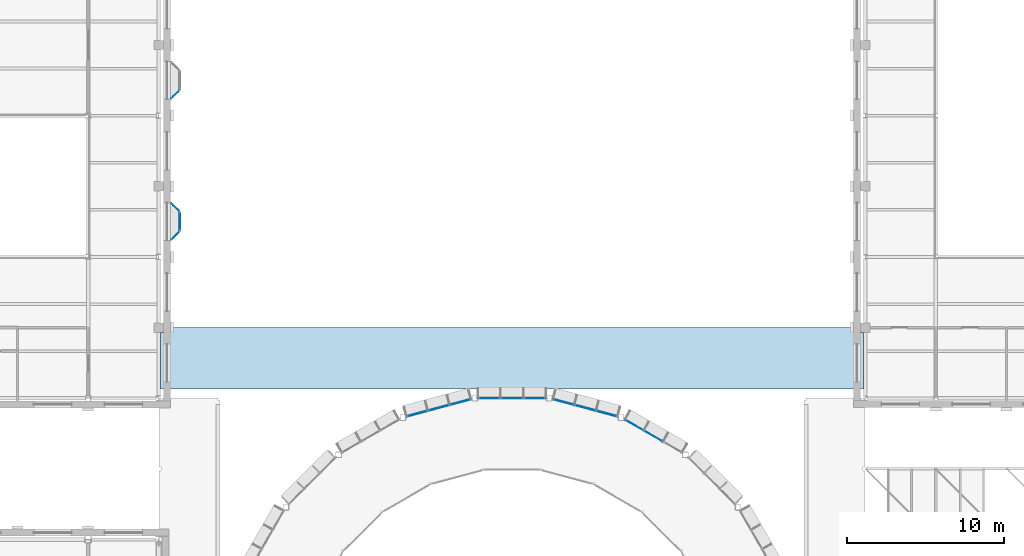
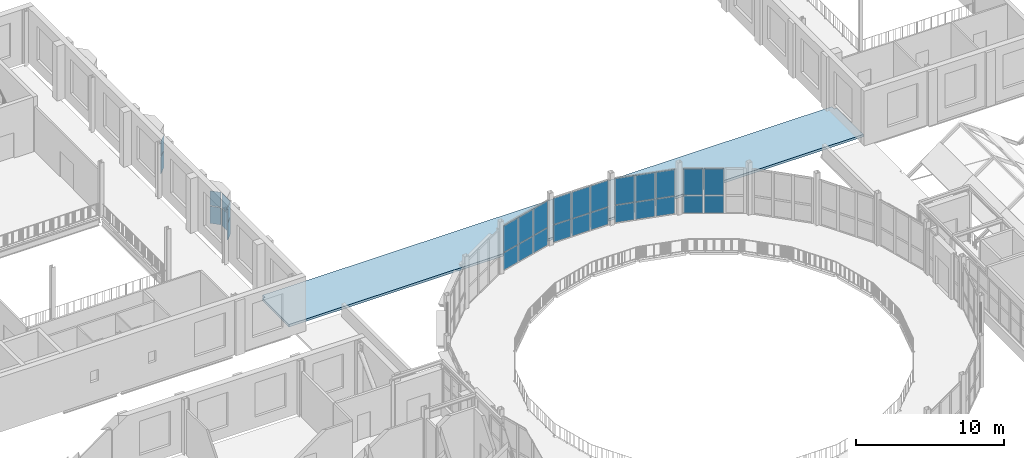
# One storey, part 33 of 74: 30 plates, 1 slab, 8 elements without a shape of their own.
"""IFC4 building model written with IfcOpenShell, lengths in metres."""

from ifc_helpers import new_model, si_unit, direction, frame, origin, origin_2d, place, context, subcontext, project, spatial, polyline, rectangle, outline, extrude, material, layer, layer_set, type_object, element, aggregate, save


model = new_model("IFC4")

# Units and contexts
model_context = context("Model", 3, precision=1e-05, world=origin(), true_north=direction((0.0, 1.0)))
body_context = subcontext(model_context, "Body", "Model", "MODEL_VIEW")
ifc_project = project(units=[si_unit("LENGTHUNIT", "METRE"), si_unit("AREAUNIT", "SQUARE_METRE"), si_unit("VOLUMEUNIT", "CUBIC_METRE"), si_unit("PLANEANGLEUNIT", "RADIAN"), si_unit("MASSUNIT", "GRAM", prefix="KILO")], contexts=[model_context])

# Site, building, storey
site_placement = place(None, origin())
site = spatial("IfcSite", under=ifc_project, at=site_placement, CompositionType="ELEMENT")
building_placement = place(site_placement, origin())
building = spatial("IfcBuilding", under=site, at=building_placement, Name="Hortulan Conservatory and Botanical Research Centre", CompositionType="ELEMENT")
storey_placement = place(building_placement, frame((0.0, 0.0, 6.0)))
storey = spatial("IfcBuildingStorey", under=building, at=storey_placement, Name="L01", CompositionType="ELEMENT", Elevation=6.0)

# Slab
ifc_material_1 = material(Name="Concrete N40 (40 MPa, AS 3600)", Category="concrete")
ifc_layer_1 = layer(ifc_material_1, 0.199951171875)
ifc_layer_set_1 = layer_set([ifc_layer_1], Name="Arcade Roof Slab 200")
slab_type = type_object("IfcSlabType", Name="Arcade Roof Slab 200", PredefinedType="ROOF", material=ifc_layer_set_1)
slab_placement = place(storey_placement, frame((0.0, 0.0, -0.199951171875)))
element("IfcSlab", 1, at=slab_placement, inside=storey, type_object=slab_type, Name="Arcade roof slab 1", PredefinedType="ROOF", context=body_context, shape_type="SweptSolid", body=[
    extrude(outline(polyline([(31.614501953125, 36.60009765625), (31.614501953125, 40.18994140625), (31.81005859375, 40.18994140625), (31.81005859375, 40.5), (76.18994140625, 40.5), (76.18994140625, 40.18994140625), (76.385498046875, 40.18994140625), (76.385498046875, 36.60009765625), (31.614501953125, 36.60009765625)])), origin(), (0.0, 0.0, 1.0), 0.199951171875),
])

# Curtain wall, plates
ifc_material_2 = material(Name="Bronze-finished aluminium", Category="aluminium")
ifc_layer_2 = layer(ifc_material_2, 0.10009765625)
ifc_layer_set_2 = layer_set([ifc_layer_2], Name="Bronze-framed Curtain Wall 1500 module")
curtain_wall_type_1 = type_object("IfcCurtainWallType", Name="Bronze-framed Curtain Wall 1500 module", PredefinedType="NOTDEFINED", material=ifc_layer_set_2)
curtain_wall_1_placement = place(storey_placement, origin())
curtain_wall_1 = element("IfcCurtainWall", 2, at=curtain_wall_1_placement, inside=storey, type_object=curtain_wall_type_1, Name="Curtain wall", PredefinedType="NOTDEFINED")
ifc_material_3 = material(Name="Low-e laminated glass", Category="glass")
ifc_layer_3 = layer(ifc_material_3, 0.028076171875)
ifc_layer_set_3 = layer_set([ifc_layer_3], Name="Laminated Glass Panel 28")
plate_type = type_object("IfcPlateType", Name="Laminated Glass Panel 28", PredefinedType="CURTAIN_PANEL", material=ifc_layer_set_3)
plate_1_placement = place(storey_placement, frame((61.782958984375, 34.291015625, 0.06005859375), z_axis=(0.0, 0.0, 1.0), x_axis=(0.866036280655, -0.499981160235, 0.0)))
plate_1 = element("IfcPlate", 3, at=plate_1_placement, type_object=plate_type, Name="CW1 panel 1.1", PredefinedType="CURTAIN_PANEL", context=body_context, shape_type="SweptSolid", body=[
    extrude(rectangle(XDim=1.330078125, YDim=0.028076171875, at=origin_2d()), origin(), (0.0, 0.0, 1.0), 1.409912109375),
])
plate_2_placement = place(storey_placement, frame((61.782958984375, 34.291015625, 1.5302734375), z_axis=(0.0, 0.0, 1.0), x_axis=(0.866036280655, -0.499981160235, 0.0)))
plate_2 = element("IfcPlate", 4, at=plate_2_placement, type_object=plate_type, Name="CW1 panel 1.2", PredefinedType="CURTAIN_PANEL", context=body_context, shape_type="SweptSolid", body=[
    extrude(rectangle(XDim=1.330078125, YDim=0.028076171875, at=origin_2d()), origin(), (0.0, 0.0, 1.0), 2.159912109375),
])
plate_3_placement = place(storey_placement, frame((63.0, 33.58837890625, 0.06005859375), z_axis=(0.0, 0.0, 1.0), x_axis=(0.866036280655, -0.499981160235, 0.0)))
plate_3 = element("IfcPlate", 5, at=plate_3_placement, type_object=plate_type, Name="CW1 panel 2.1", PredefinedType="CURTAIN_PANEL", context=body_context, shape_type="SweptSolid", body=[
    extrude(rectangle(XDim=1.360107421875, YDim=0.028076171875, at=origin_2d()), origin(), (0.0, 0.0, 1.0), 1.409912109375),
])
plate_4_placement = place(storey_placement, frame((63.0, 33.58837890625, 1.5302734375), z_axis=(0.0, 0.0, 1.0), x_axis=(0.866036280655, -0.499981160235, 0.0)))
plate_4 = element("IfcPlate", 6, at=plate_4_placement, type_object=plate_type, Name="CW1 panel 2.2", PredefinedType="CURTAIN_PANEL", context=body_context, shape_type="SweptSolid", body=[
    extrude(rectangle(XDim=1.360107421875, YDim=0.028076171875, at=origin_2d()), origin(), (0.0, 0.0, 1.0), 2.159912109375),
])
aggregate(curtain_wall_1, [plate_1, plate_2, plate_3, plate_4])

curtain_wall_2_placement = place(storey_placement, origin())
curtain_wall_2 = element("IfcCurtainWall", 7, at=curtain_wall_2_placement, inside=storey, type_object=curtain_wall_type_1, Name="Curtain wall", PredefinedType="NOTDEFINED")
plate_5_placement = place(storey_placement, frame((57.285400390625, 35.754638671875, 0.06005859375), z_axis=(0.0, 0.0, 1.0), x_axis=(0.965922372015, -0.258831936284, 0.0)))
plate_5 = element("IfcPlate", 8, at=plate_5_placement, type_object=plate_type, Name="CW1 panel 1.1", PredefinedType="CURTAIN_PANEL", context=body_context, shape_type="SweptSolid", body=[
    extrude(rectangle(XDim=1.346923828125, YDim=0.028076171875, at=origin_2d()), origin(), (0.0, 0.0, 1.0), 1.409912109375),
])
plate_6_placement = place(storey_placement, frame((57.285400390625, 35.754638671875, 1.5302734375), z_axis=(0.0, 0.0, 1.0), x_axis=(0.965922372015, -0.258831936284, 0.0)))
plate_6 = element("IfcPlate", 9, at=plate_6_placement, type_object=plate_type, Name="CW1 panel 1.2", PredefinedType="CURTAIN_PANEL", context=body_context, shape_type="SweptSolid", body=[
    extrude(rectangle(XDim=1.346923828125, YDim=0.028076171875, at=origin_2d()), origin(), (0.0, 0.0, 1.0), 2.159912109375),
])
plate_7_placement = place(storey_placement, frame((58.658935546875, 35.38671875, 0.06005859375), z_axis=(0.0, 0.0, 1.0), x_axis=(0.965922372015, -0.258831936284, 0.0)))
plate_7 = element("IfcPlate", 10, at=plate_7_placement, type_object=plate_type, Name="CW1 panel 2.1", PredefinedType="CURTAIN_PANEL", context=body_context, shape_type="SweptSolid", body=[
    extrude(rectangle(XDim=1.376953125, YDim=0.028076171875, at=origin_2d()), origin(), (0.0, 0.0, 1.0), 1.409912109375),
])
plate_8_placement = place(storey_placement, frame((58.658935546875, 35.38671875, 1.5302734375), z_axis=(0.0, 0.0, 1.0), x_axis=(0.965922372015, -0.258831936284, 0.0)))
plate_8 = element("IfcPlate", 11, at=plate_8_placement, type_object=plate_type, Name="CW1 panel 2.2", PredefinedType="CURTAIN_PANEL", context=body_context, shape_type="SweptSolid", body=[
    extrude(rectangle(XDim=1.376953125, YDim=0.028076171875, at=origin_2d()), origin(), (0.0, 0.0, 1.0), 2.159912109375),
])
plate_9_placement = place(storey_placement, frame((60.032470703125, 35.0185546875, 0.06005859375), z_axis=(0.0, 0.0, 1.0), x_axis=(0.965922372015, -0.258831936284, 0.0)))
plate_9 = element("IfcPlate", 12, at=plate_9_placement, type_object=plate_type, Name="CW1 panel 3.1", PredefinedType="CURTAIN_PANEL", context=body_context, shape_type="SweptSolid", body=[
    extrude(rectangle(XDim=1.346923828125, YDim=0.028076171875, at=origin_2d()), origin(), (0.0, 0.0, 1.0), 1.409912109375),
])
plate_10_placement = place(storey_placement, frame((60.032470703125, 35.0185546875, 1.5302734375), z_axis=(0.0, 0.0, 1.0), x_axis=(0.965922372015, -0.258831936284, 0.0)))
plate_10 = element("IfcPlate", 13, at=plate_10_placement, type_object=plate_type, Name="CW1 panel 3.2", PredefinedType="CURTAIN_PANEL", context=body_context, shape_type="SweptSolid", body=[
    extrude(rectangle(XDim=1.346923828125, YDim=0.028076171875, at=origin_2d()), origin(), (0.0, 0.0, 1.0), 2.159912109375),
])
aggregate(curtain_wall_2, [plate_5, plate_6, plate_7, plate_8, plate_9, plate_10])

curtain_wall_3_placement = place(storey_placement, origin())
curtain_wall_3 = element("IfcCurtainWall", 14, at=curtain_wall_3_placement, inside=storey, type_object=curtain_wall_type_1, Name="Curtain wall", PredefinedType="NOTDEFINED")
plate_11_placement = place(storey_placement, frame((52.5517578125, 36.0, 0.06005859375), z_axis=(0.0, 0.0, 1.0), x_axis=(1.0, 0.0, 0.0)))
plate_11 = element("IfcPlate", 15, at=plate_11_placement, type_object=plate_type, Name="CW1 panel 1.1", PredefinedType="CURTAIN_PANEL", context=body_context, shape_type="SweptSolid", body=[
    extrude(rectangle(XDim=1.373291015625, YDim=0.028076171875, at=origin_2d()), origin(), (0.0, 0.0, 1.0), 1.409912109375),
])
plate_12_placement = place(storey_placement, frame((52.5517578125, 36.0, 1.5302734375), z_axis=(0.0, 0.0, 1.0), x_axis=(1.0, 0.0, 0.0)))
plate_12 = element("IfcPlate", 16, at=plate_12_placement, type_object=plate_type, Name="CW1 panel 1.2", PredefinedType="CURTAIN_PANEL", context=body_context, shape_type="SweptSolid", body=[
    extrude(rectangle(XDim=1.373291015625, YDim=0.028076171875, at=origin_2d()), origin(), (0.0, 0.0, 1.0), 2.159912109375),
])
plate_13_placement = place(storey_placement, frame((54.0, 36.0, 0.06005859375), z_axis=(0.0, 0.0, 1.0), x_axis=(1.0, 0.0, 0.0)))
plate_13 = element("IfcPlate", 17, at=plate_13_placement, type_object=plate_type, Name="CW1 panel 2.1", PredefinedType="CURTAIN_PANEL", context=body_context, shape_type="SweptSolid", body=[
    extrude(rectangle(XDim=1.4033203125, YDim=0.028076171875, at=origin_2d()), origin(), (0.0, 0.0, 1.0), 1.409912109375),
])
plate_14_placement = place(storey_placement, frame((54.0, 36.0, 1.5302734375), z_axis=(0.0, 0.0, 1.0), x_axis=(1.0, 0.0, 0.0)))
plate_14 = element("IfcPlate", 18, at=plate_14_placement, type_object=plate_type, Name="CW1 panel 2.2", PredefinedType="CURTAIN_PANEL", context=body_context, shape_type="SweptSolid", body=[
    extrude(rectangle(XDim=1.4033203125, YDim=0.028076171875, at=origin_2d()), origin(), (0.0, 0.0, 1.0), 2.159912109375),
])
plate_15_placement = place(storey_placement, frame((55.4482421875, 36.0, 0.06005859375), z_axis=(0.0, 0.0, 1.0), x_axis=(1.0, 0.0, 0.0)))
plate_15 = element("IfcPlate", 19, at=plate_15_placement, type_object=plate_type, Name="CW1 panel 3.1", PredefinedType="CURTAIN_PANEL", context=body_context, shape_type="SweptSolid", body=[
    extrude(rectangle(XDim=1.373291015625, YDim=0.028076171875, at=origin_2d()), origin(), (0.0, 0.0, 1.0), 1.409912109375),
])
plate_16_placement = place(storey_placement, frame((55.4482421875, 36.0, 1.5302734375), z_axis=(0.0, 0.0, 1.0), x_axis=(1.0, 0.0, 0.0)))
plate_16 = element("IfcPlate", 20, at=plate_16_placement, type_object=plate_type, Name="CW1 panel 3.2", PredefinedType="CURTAIN_PANEL", context=body_context, shape_type="SweptSolid", body=[
    extrude(rectangle(XDim=1.373291015625, YDim=0.028076171875, at=origin_2d()), origin(), (0.0, 0.0, 1.0), 2.159912109375),
])
aggregate(curtain_wall_3, [plate_11, plate_12, plate_13, plate_14, plate_15, plate_16])

curtain_wall_4_placement = place(storey_placement, origin())
curtain_wall_4 = element("IfcCurtainWall", 21, at=curtain_wall_4_placement, inside=storey, type_object=curtain_wall_type_1, Name="Curtain wall", PredefinedType="NOTDEFINED")
plate_17_placement = place(storey_placement, frame((47.967529296875, 35.0185546875, 0.06005859375), z_axis=(0.0, 0.0, 1.0), x_axis=(0.965922372015, 0.258831936284, 0.0)))
plate_17 = element("IfcPlate", 22, at=plate_17_placement, type_object=plate_type, Name="CW1 panel 1.1", PredefinedType="CURTAIN_PANEL", context=body_context, shape_type="SweptSolid", body=[
    extrude(rectangle(XDim=1.346923828125, YDim=0.028076171875, at=origin_2d()), origin(), (0.0, 0.0, 1.0), 1.409912109375),
])
plate_18_placement = place(storey_placement, frame((47.967529296875, 35.0185546875, 1.5302734375), z_axis=(0.0, 0.0, 1.0), x_axis=(0.965922372015, 0.258831936284, 0.0)))
plate_18 = element("IfcPlate", 23, at=plate_18_placement, type_object=plate_type, Name="CW1 panel 1.2", PredefinedType="CURTAIN_PANEL", context=body_context, shape_type="SweptSolid", body=[
    extrude(rectangle(XDim=1.346923828125, YDim=0.028076171875, at=origin_2d()), origin(), (0.0, 0.0, 1.0), 2.159912109375),
])
plate_19_placement = place(storey_placement, frame((49.341064453125, 35.38671875, 0.06005859375), z_axis=(0.0, 0.0, 1.0), x_axis=(0.965922372015, 0.258831936284, 0.0)))
plate_19 = element("IfcPlate", 24, at=plate_19_placement, type_object=plate_type, Name="CW1 panel 2.1", PredefinedType="CURTAIN_PANEL", context=body_context, shape_type="SweptSolid", body=[
    extrude(rectangle(XDim=1.376953125, YDim=0.028076171875, at=origin_2d()), origin(), (0.0, 0.0, 1.0), 1.409912109375),
])
plate_20_placement = place(storey_placement, frame((49.341064453125, 35.38671875, 1.5302734375), z_axis=(0.0, 0.0, 1.0), x_axis=(0.965922372015, 0.258831936284, 0.0)))
plate_20 = element("IfcPlate", 25, at=plate_20_placement, type_object=plate_type, Name="CW1 panel 2.2", PredefinedType="CURTAIN_PANEL", context=body_context, shape_type="SweptSolid", body=[
    extrude(rectangle(XDim=1.376953125, YDim=0.028076171875, at=origin_2d()), origin(), (0.0, 0.0, 1.0), 2.159912109375),
])
plate_21_placement = place(storey_placement, frame((50.714599609375, 35.754638671875, 0.06005859375), z_axis=(0.0, 0.0, 1.0), x_axis=(0.965922372015, 0.258831936284, 0.0)))
plate_21 = element("IfcPlate", 26, at=plate_21_placement, type_object=plate_type, Name="CW1 panel 3.1", PredefinedType="CURTAIN_PANEL", context=body_context, shape_type="SweptSolid", body=[
    extrude(rectangle(XDim=1.346923828125, YDim=0.028076171875, at=origin_2d()), origin(), (0.0, 0.0, 1.0), 1.409912109375),
])
plate_22_placement = place(storey_placement, frame((50.714599609375, 35.754638671875, 1.5302734375), z_axis=(0.0, 0.0, 1.0), x_axis=(0.965922372015, 0.258831936284, 0.0)))
plate_22 = element("IfcPlate", 27, at=plate_22_placement, type_object=plate_type, Name="CW1 panel 3.2", PredefinedType="CURTAIN_PANEL", context=body_context, shape_type="SweptSolid", body=[
    extrude(rectangle(XDim=1.346923828125, YDim=0.028076171875, at=origin_2d()), origin(), (0.0, 0.0, 1.0), 2.159912109375),
])
aggregate(curtain_wall_4, [plate_17, plate_18, plate_19, plate_20, plate_21, plate_22])

ifc_layer_4 = layer(ifc_material_2, 0.10009765625)
ifc_layer_set_4 = layer_set([ifc_layer_4], Name="Oriel Curtain Wall 1350 module")
curtain_wall_type_2 = type_object("IfcCurtainWallType", Name="Oriel Curtain Wall 1350 module", PredefinedType="NOTDEFINED", material=ifc_layer_set_4)
curtain_wall_5_placement = place(storey_placement, origin())
curtain_wall_5 = element("IfcCurtainWall", 28, at=curtain_wall_5_placement, inside=storey, type_object=curtain_wall_type_2, Name="Oriel glazing", PredefinedType="NOTDEFINED")
plate_23_placement = place(storey_placement, frame((32.550048828125, 48.14990234375, 0.9599609375), z_axis=(0.0, 0.0, 1.0), x_axis=(0.707106781187, -0.707106781187, 0.0)))
plate_23 = element("IfcPlate", 29, at=plate_23_placement, type_object=plate_type, Name="CW2 panel 1.1", PredefinedType="CURTAIN_PANEL", context=body_context, shape_type="SweptSolid", body=[
    extrude(rectangle(XDim=0.728515625, YDim=0.028076171875, at=origin_2d()), origin(), (0.0, 0.0, 1.0), 1.409912109375),
])
plate_24_placement = place(storey_placement, frame((32.550048828125, 48.14990234375, 2.429931640625), z_axis=(0.0, 0.0, 1.0), x_axis=(0.707106781187, -0.707106781187, 0.0)))
plate_24 = element("IfcPlate", 30, at=plate_24_placement, type_object=plate_type, Name="CW2 panel 1.2", PredefinedType="CURTAIN_PANEL", context=body_context, shape_type="SweptSolid", body=[
    extrude(rectangle(XDim=0.728515625, YDim=0.028076171875, at=origin_2d()), origin(), (0.0, 0.0, 1.0), 1.2099609375),
])
aggregate(curtain_wall_5, [plate_23, plate_24])

curtain_wall_6_placement = place(storey_placement, origin())
curtain_wall_6 = element("IfcCurtainWall", 31, at=curtain_wall_6_placement, inside=storey, type_object=curtain_wall_type_2, Name="Oriel glazing", PredefinedType="NOTDEFINED")
plate_25_placement = place(storey_placement, frame((32.85009765625, 47.25, 0.9599609375), z_axis=(0.0, 0.0, 1.0), x_axis=(0.0, -1.0, 0.0)))
plate_25 = element("IfcPlate", 32, at=plate_25_placement, type_object=plate_type, Name="CW2 panel 1.1", PredefinedType="CURTAIN_PANEL", context=body_context, shape_type="SweptSolid", body=[
    extrude(rectangle(XDim=1.080078125, YDim=0.028076171875, at=origin_2d()), origin(), (0.0, 0.0, 1.0), 1.409912109375),
])
plate_26_placement = place(storey_placement, frame((32.85009765625, 47.25, 2.429931640625), z_axis=(0.0, 0.0, 1.0), x_axis=(0.0, -1.0, 0.0)))
plate_26 = element("IfcPlate", 33, at=plate_26_placement, type_object=plate_type, Name="CW2 panel 1.2", PredefinedType="CURTAIN_PANEL", context=body_context, shape_type="SweptSolid", body=[
    extrude(rectangle(XDim=1.080078125, YDim=0.028076171875, at=origin_2d()), origin(), (0.0, 0.0, 1.0), 1.2099609375),
])
aggregate(curtain_wall_6, [plate_25, plate_26])

curtain_wall_7_placement = place(storey_placement, origin())
curtain_wall_7 = element("IfcCurtainWall", 34, at=curtain_wall_7_placement, inside=storey, type_object=curtain_wall_type_2, Name="Oriel glazing", PredefinedType="NOTDEFINED")
plate_27_placement = place(storey_placement, frame((32.550048828125, 46.35009765625, 0.9599609375), z_axis=(0.0, 0.0, 1.0), x_axis=(-0.707106781187, -0.707106781187, 0.0)))
plate_27 = element("IfcPlate", 35, at=plate_27_placement, type_object=plate_type, Name="CW2 panel 1.1", PredefinedType="CURTAIN_PANEL", context=body_context, shape_type="SweptSolid", body=[
    extrude(rectangle(XDim=0.728515625, YDim=0.028076171875, at=origin_2d()), origin(), (0.0, 0.0, 1.0), 1.409912109375),
])
plate_28_placement = place(storey_placement, frame((32.550048828125, 46.35009765625, 2.429931640625), z_axis=(0.0, 0.0, 1.0), x_axis=(-0.707106781187, -0.707106781187, 0.0)))
plate_28 = element("IfcPlate", 36, at=plate_28_placement, type_object=plate_type, Name="CW2 panel 1.2", PredefinedType="CURTAIN_PANEL", context=body_context, shape_type="SweptSolid", body=[
    extrude(rectangle(XDim=0.728515625, YDim=0.028076171875, at=origin_2d()), origin(), (0.0, 0.0, 1.0), 1.2099609375),
])
aggregate(curtain_wall_7, [plate_27, plate_28])

curtain_wall_8_placement = place(storey_placement, origin())
curtain_wall_8 = element("IfcCurtainWall", 37, at=curtain_wall_8_placement, inside=storey, type_object=curtain_wall_type_2, Name="Oriel glazing", PredefinedType="NOTDEFINED")
plate_29_placement = place(storey_placement, frame((32.550048828125, 55.35009765625, 0.9599609375), z_axis=(0.0, 0.0, 1.0), x_axis=(-0.707106781187, -0.707106781187, 0.0)))
plate_29 = element("IfcPlate", 38, at=plate_29_placement, type_object=plate_type, Name="CW2 panel 1.1", PredefinedType="CURTAIN_PANEL", context=body_context, shape_type="SweptSolid", body=[
    extrude(rectangle(XDim=0.728515625, YDim=0.028076171875, at=origin_2d()), origin(), (0.0, 0.0, 1.0), 1.409912109375),
])
plate_30_placement = place(storey_placement, frame((32.550048828125, 55.35009765625, 2.429931640625), z_axis=(0.0, 0.0, 1.0), x_axis=(-0.707106781187, -0.707106781187, 0.0)))
plate_30 = element("IfcPlate", 39, at=plate_30_placement, type_object=plate_type, Name="CW2 panel 1.2", PredefinedType="CURTAIN_PANEL", context=body_context, shape_type="SweptSolid", body=[
    extrude(rectangle(XDim=0.728515625, YDim=0.028076171875, at=origin_2d()), origin(), (0.0, 0.0, 1.0), 1.2099609375),
])
aggregate(curtain_wall_8, [plate_29, plate_30])

save(model, "model.ifc")
